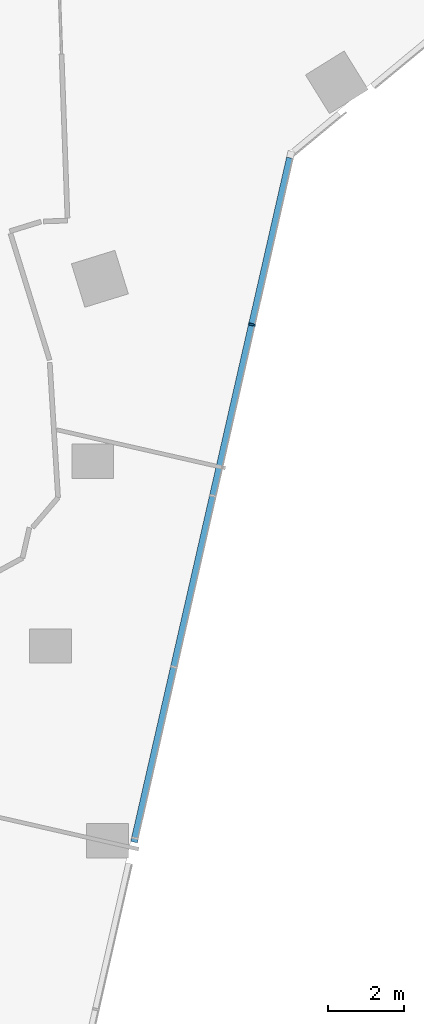
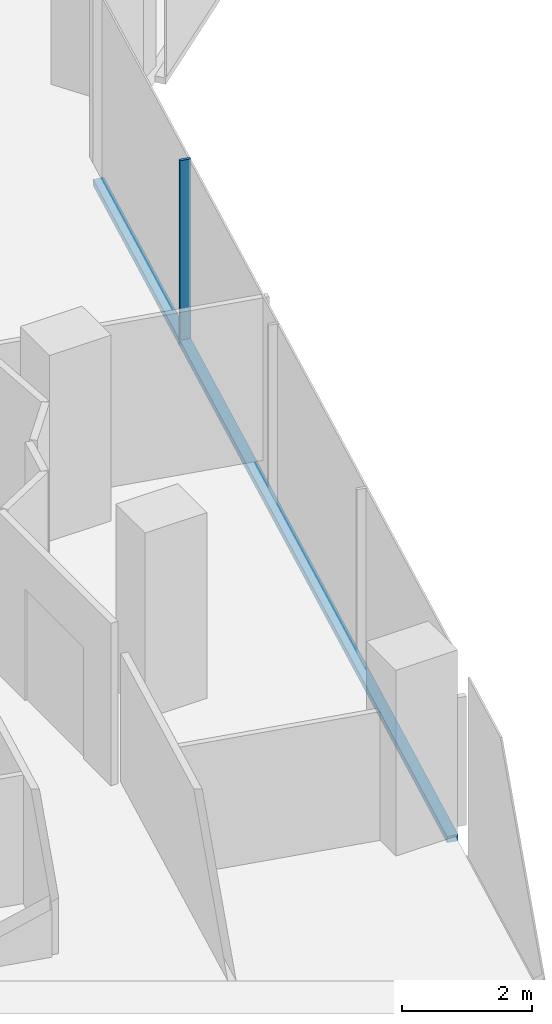
# One storey, part 6 of 23: 2 members, 1 element without a shape of its own.
"""IFC4 building model written with IfcOpenShell, lengths in metres."""

from ifc_helpers import new_model, si_unit, direction, frame, origin, origin_2d, place, context, subcontext, project, spatial, rectangle, extrude, material, material_profile, profile_set, type_object, element, aggregate, save


model = new_model("IFC4")

# Units and contexts
model_context = context("Model", 3, precision=1e-05, world=origin(), true_north=direction((0.0, 1.0)))
body_context = subcontext(model_context, "Body", "Model", "MODEL_VIEW")
ifc_project = project(units=[si_unit("LENGTHUNIT", "METRE"), si_unit("AREAUNIT", "SQUARE_METRE"), si_unit("VOLUMEUNIT", "CUBIC_METRE"), si_unit("PLANEANGLEUNIT", "RADIAN"), si_unit("MASSUNIT", "GRAM", prefix="KILO")], contexts=[model_context])

# Site, building, storey
site_placement = place(None, origin())
site = spatial("IfcSite", under=ifc_project, at=site_placement, CompositionType="ELEMENT")
building_placement = place(site_placement, origin())
building = spatial("IfcBuilding", under=site, at=building_placement, Name="Orlundy Tower", CompositionType="ELEMENT")
storey_placement = place(building_placement, frame((0.0, 0.0, 181.10009765625)))
storey = spatial("IfcBuildingStorey", under=building, at=storey_placement, Name="L47", CompositionType="ELEMENT", Elevation=181.10009765625)

# Curtain wall, members
ifc_material_1 = material(Name="Aluminium bronze anodised", Category="aluminium")
curtain_wall_type = type_object("IfcCurtainWallType", Name="CW1 wall", PredefinedType="NOTDEFINED", material=ifc_material_1)
curtain_wall_placement = place(storey_placement, origin())
curtain_wall = element("IfcCurtainWall", 1, at=curtain_wall_placement, inside=storey, type_object=curtain_wall_type, Name="CW1 run 018", PredefinedType="NOTDEFINED")
ifc_material_2 = material(Name="Aluminium bronze anodised", Category="aluminium")
ifc_material_profile_1 = material_profile(ifc_material_2, rectangle(XDim=0.179931640625, YDim=0.050048828125, at=origin_2d()), Name="CW1 mullion 50x180")
ifc_profile_set_1 = profile_set([ifc_material_profile_1], Name="Aluminium bronze anodised")
member_type_1 = type_object("IfcMemberType", Name="CW1 mullion 50x180", PredefinedType="MULLION", material=ifc_profile_set_1)
member_1_placement = place(storey_placement, frame((13.4033203125, -31.613037109375, -0.420166015625), z_axis=(0.0, 0.0, 1.0), x_axis=(0.975022425628, -0.222106437373, 0.0)))
member_1 = element("IfcMember", 2, at=member_1_placement, type_object=member_type_1, Name="CW1 mullion 44", PredefinedType="MULLION", context=body_context, shape_type="SweptSolid", body=[
    extrude(rectangle(XDim=0.179931640625, YDim=0.050048828125, at=origin_2d()), origin(), (0.0, 0.0, 1.0), 3.5),
])
ifc_material_3 = material(Name="Aluminium bronze anodised", Category="aluminium")
ifc_material_profile_2 = material_profile(ifc_material_3, rectangle(XDim=0.179931640625, YDim=0.1201171875, at=origin_2d()), Name="CW1 transom 180x120")
ifc_profile_set_2 = profile_set([ifc_material_profile_2], Name="Aluminium bronze anodised")
member_type_2 = type_object("IfcMemberType", Name="CW1 transom 180x120", PredefinedType="USERDEFINED", material=ifc_profile_set_2)
member_2_placement = place(storey_placement, frame((14.405029296875, -27.215576171875, -0.360107421875), z_axis=(-0.222113084939, -0.975020911314, 0.0), x_axis=(0.975020911314, -0.222113084939, 0.0)))
member_2 = element("IfcMember", 3, at=member_2_placement, type_object=member_type_2, Name="CW1 transom", ObjectType="TRANSOM", PredefinedType="USERDEFINED", context=body_context, shape_type="SweptSolid", body=[
    extrude(rectangle(XDim=0.179931640625, YDim=0.1201171875, at=origin_2d()), origin(), (0.0, 0.0, 1.0), 18.509033203125),
])
aggregate(curtain_wall, [member_1, member_2])

save(model, "model.ifc")
